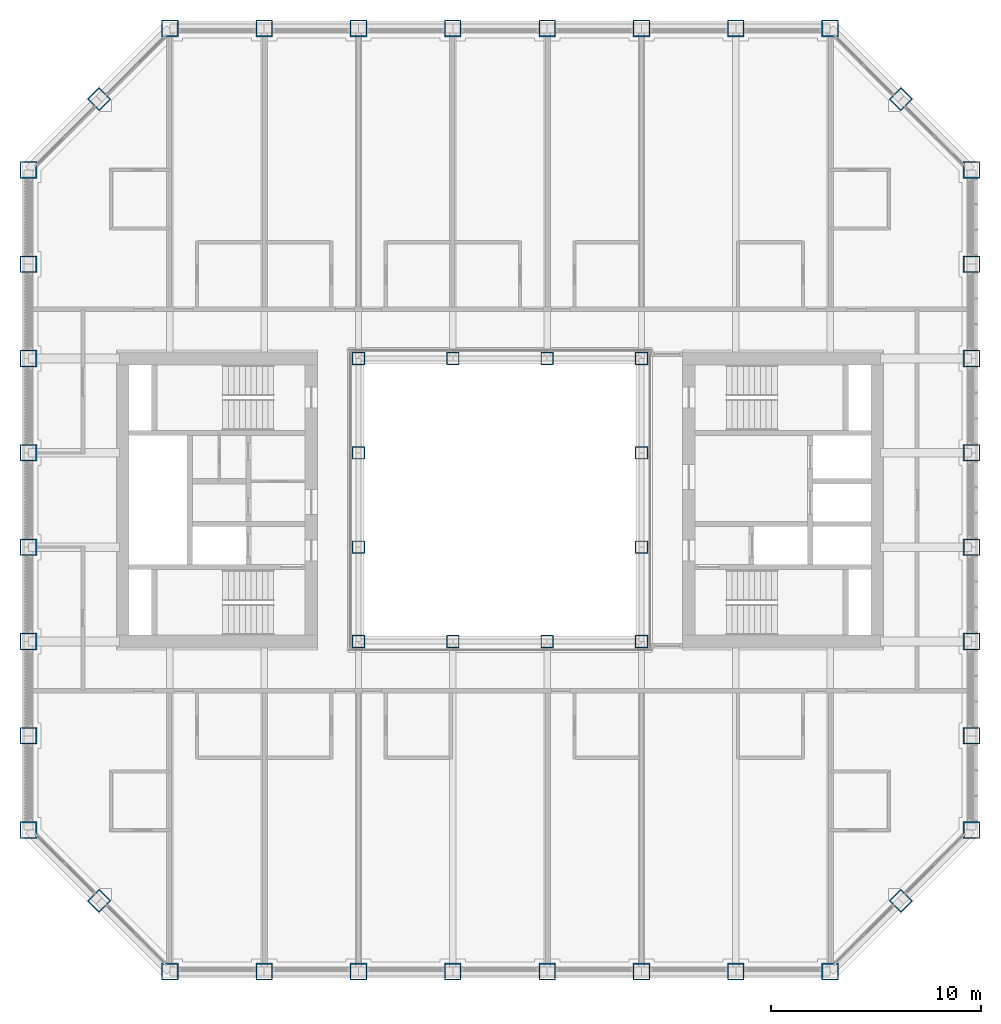
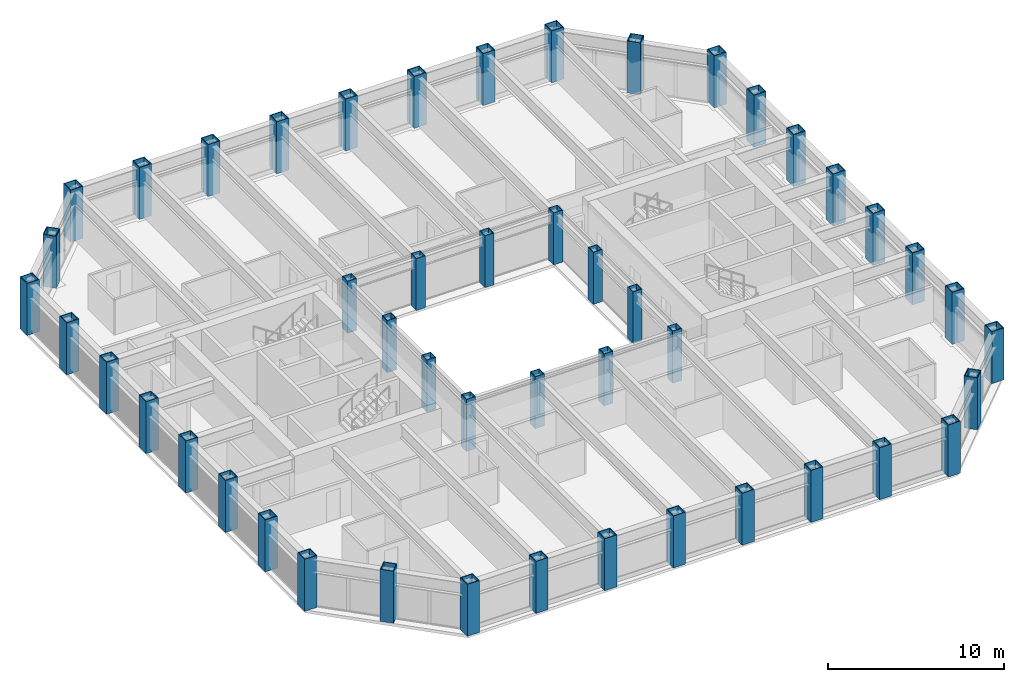
# One storey, part 1 of 17: 48 columns.
"""IFC4 building model written with IfcOpenShell, lengths in metres."""

from ifc_helpers import new_model, si_unit, direction, frame, origin, origin_2d, place, context, subcontext, project, spatial, hollow_rectangle, extrude, material, material_profile, profile_set, type_object, element, save


model = new_model("IFC4")

# Units and contexts
model_context = context("Model", 3, precision=1e-05, world=origin(), true_north=direction((0.0, 1.0)))
body_context = subcontext(model_context, "Body", "Model", "MODEL_VIEW")
ifc_project = project(units=[si_unit("LENGTHUNIT", "METRE"), si_unit("AREAUNIT", "SQUARE_METRE"), si_unit("VOLUMEUNIT", "CUBIC_METRE"), si_unit("PLANEANGLEUNIT", "RADIAN"), si_unit("MASSUNIT", "GRAM", prefix="KILO")], contexts=[model_context])

# Site, building, storey
site_placement = place(None, origin())
site = spatial("IfcSite", under=ifc_project, at=site_placement, CompositionType="ELEMENT")
building_placement = place(site_placement, origin())
building = spatial("IfcBuilding", under=site, at=building_placement, Name="Msasa Ring Tower", CompositionType="ELEMENT")
storey_placement = place(building_placement, frame((0.0, 0.0, 147.199951171875)))
storey = spatial("IfcBuildingStorey", under=building, at=storey_placement, Name="L38", CompositionType="ELEMENT", Elevation=147.199951171875)

# Columns
ifc_material_1 = material(Name="Steel S355", Category="steel")
ifc_material_profile_1 = material_profile(ifc_material_1, hollow_rectangle(XDim=0.60009765625, YDim=0.60009765625, WallThickness=0.0400390625, at=origin_2d()), Name="BOX 600x600x40")
ifc_profile_set_1 = profile_set([ifc_material_profile_1], Name="Steel S355")
column_type_1 = type_object("IfcColumnType", Name="IC4 BOX 600x600x40", PredefinedType="COLUMN", material=ifc_profile_set_1)
for number, where, z_axis, x_axis, name in (
    (1, (-6.75, -6.75, 0.0), (0.0, 0.0, 1.0), (1.0, 0.0, 0.0), "Inner ring column IR-6.75-6.75 L38"),
    (2, (-6.75, -2.25, 0.0), (0.0, 0.0, 1.0), (1.0, 0.0, 0.0), "Inner ring column IR-6.75-2.25 L38"),
    (3, (-6.75, 2.25, 0.0), (0.0, 0.0, 1.0), (1.0, 0.0, 0.0), "Inner ring column IR-6.75+2.25 L38"),
    (4, (-6.75, 6.75, 0.0), (0.0, 0.0, 1.0), (1.0, 0.0, 0.0), "Inner ring column IR-6.75+6.75 L38"),
    (5, (-2.25, -6.75, 0.0), (0.0, 0.0, 1.0), (1.0, 0.0, 0.0), "Inner ring column IR-2.25-6.75 L38"),
    (6, (-2.25, 6.75, 0.0), (0.0, 0.0, 1.0), (1.0, 0.0, 0.0), "Inner ring column IR-2.25+6.75 L38"),
    (7, (2.25, -6.75, 0.0), (0.0, 0.0, 1.0), (1.0, 0.0, 0.0), "Inner ring column IR+2.25-6.75 L38"),
    (8, (2.25, 6.75, 0.0), (0.0, 0.0, 1.0), (1.0, 0.0, 0.0), "Inner ring column IR+2.25+6.75 L38"),
    (9, (6.75, -6.75, 0.0), (0.0, 0.0, 1.0), (1.0, 0.0, 0.0), "Inner ring column IR+6.75-6.75 L38"),
    (10, (6.75, -2.25, 0.0), (0.0, 0.0, 1.0), (1.0, 0.0, 0.0), "Inner ring column IR+6.75-2.25 L38"),
    (11, (6.75, 2.25, 0.0), (0.0, 0.0, 1.0), (1.0, 0.0, 0.0), "Inner ring column IR+6.75+2.25 L38"),
    (12, (6.75, 6.75, 0.0), (0.0, 0.0, 1.0), (1.0, 0.0, 0.0), "Inner ring column IR+6.75+6.75 L38"),
):
    element("IfcColumn", number, at=place(storey_placement, frame(where, z_axis=z_axis, x_axis=x_axis)), inside=storey, type_object=column_type_1, Name=name, PredefinedType="COLUMN", context=body_context, shape_type="SweptSolid", body=[
        extrude(hollow_rectangle(XDim=0.60009765625, YDim=0.60009765625, WallThickness=0.0400390625, at=origin_2d()), origin(), (0.0, 0.0, 1.0), 3.60009765625),
    ])
ifc_material_2 = material(Name="Steel S355", Category="steel")
ifc_material_profile_2 = material_profile(ifc_material_2, hollow_rectangle(XDim=0.800048828125, YDim=0.800048828125, WallThickness=0.050048828125, at=origin_2d()), Name="BOX 800x800x50")
ifc_profile_set_2 = profile_set([ifc_material_profile_2], Name="Steel S355")
column_type_2 = type_object("IfcColumnType", Name="TC4 BOX 800x800x50", PredefinedType="COLUMN", material=ifc_profile_set_2)
for number, where, z_axis, x_axis, name in (
    (13, (-15.75, -22.5, 0.0), (0.0, 0.0, 1.0), (0.0, 1.0, 0.0), "Tube column S-15.75 L38"),
    (14, (-15.75, 22.5, 0.0), (0.0, 0.0, 1.0), (0.0, 1.0, 0.0), "Tube column N-15.75 L38"),
    (15, (22.5, -15.75, 0.0), (0.0, 0.0, 1.0), (1.0, 0.0, 0.0), "Tube column E-15.75 L38"),
    (16, (-22.5, -15.75, 0.0), (0.0, 0.0, 1.0), (1.0, 0.0, 0.0), "Tube column W-15.75 L38"),
    (17, (-11.25, -22.5, 0.0), (0.0, 0.0, 1.0), (0.0, 1.0, 0.0), "Tube column S-11.25 L38"),
    (18, (-11.25, 22.5, 0.0), (0.0, 0.0, 1.0), (0.0, 1.0, 0.0), "Tube column N-11.25 L38"),
    (19, (22.5, -11.25, 0.0), (0.0, 0.0, 1.0), (1.0, 0.0, 0.0), "Tube column E-11.25 L38"),
    (20, (-22.5, -11.25, 0.0), (0.0, 0.0, 1.0), (1.0, 0.0, 0.0), "Tube column W-11.25 L38"),
    (21, (-6.75, -22.5, 0.0), (0.0, 0.0, 1.0), (0.0, 1.0, 0.0), "Tube column S-6.75 L38"),
    (22, (-6.75, 22.5, 0.0), (0.0, 0.0, 1.0), (0.0, 1.0, 0.0), "Tube column N-6.75 L38"),
    (23, (22.5, -6.75, 0.0), (0.0, 0.0, 1.0), (1.0, 0.0, 0.0), "Tube column E-6.75 L38"),
    (24, (-22.5, -6.75, 0.0), (0.0, 0.0, 1.0), (1.0, 0.0, 0.0), "Tube column W-6.75 L38"),
    (25, (-2.25, -22.5, 0.0), (0.0, 0.0, 1.0), (0.0, 1.0, 0.0), "Tube column S-2.25 L38"),
    (26, (-2.25, 22.5, 0.0), (0.0, 0.0, 1.0), (0.0, 1.0, 0.0), "Tube column N-2.25 L38"),
    (27, (22.5, -2.25, 0.0), (0.0, 0.0, 1.0), (1.0, 0.0, 0.0), "Tube column E-2.25 L38"),
    (28, (-22.5, -2.25, 0.0), (0.0, 0.0, 1.0), (1.0, 0.0, 0.0), "Tube column W-2.25 L38"),
    (29, (2.25, -22.5, 0.0), (0.0, 0.0, 1.0), (0.0, 1.0, 0.0), "Tube column S+2.25 L38"),
    (30, (2.25, 22.5, 0.0), (0.0, 0.0, 1.0), (0.0, 1.0, 0.0), "Tube column N+2.25 L38"),
    (31, (22.5, 2.25, 0.0), (0.0, 0.0, 1.0), (1.0, 0.0, 0.0), "Tube column E+2.25 L38"),
    (32, (-22.5, 2.25, 0.0), (0.0, 0.0, 1.0), (1.0, 0.0, 0.0), "Tube column W+2.25 L38"),
    (33, (6.75, -22.5, 0.0), (0.0, 0.0, 1.0), (0.0, 1.0, 0.0), "Tube column S+6.75 L38"),
    (34, (6.75, 22.5, 0.0), (0.0, 0.0, 1.0), (0.0, 1.0, 0.0), "Tube column N+6.75 L38"),
    (35, (22.5, 6.75, 0.0), (0.0, 0.0, 1.0), (1.0, 0.0, 0.0), "Tube column E+6.75 L38"),
    (36, (-22.5, 6.75, 0.0), (0.0, 0.0, 1.0), (1.0, 0.0, 0.0), "Tube column W+6.75 L38"),
    (37, (11.25, -22.5, 0.0), (0.0, 0.0, 1.0), (0.0, 1.0, 0.0), "Tube column S+11.25 L38"),
    (38, (11.25, 22.5, 0.0), (0.0, 0.0, 1.0), (0.0, 1.0, 0.0), "Tube column N+11.25 L38"),
    (39, (22.5, 11.25, 0.0), (0.0, 0.0, 1.0), (1.0, 0.0, 0.0), "Tube column E+11.25 L38"),
    (40, (-22.5, 11.25, 0.0), (0.0, 0.0, 1.0), (1.0, 0.0, 0.0), "Tube column W+11.25 L38"),
    (41, (15.75, -22.5, 0.0), (0.0, 0.0, 1.0), (0.0, 1.0, 0.0), "Tube column S+15.75 L38"),
    (42, (15.75, 22.5, 0.0), (0.0, 0.0, 1.0), (0.0, 1.0, 0.0), "Tube column N+15.75 L38"),
    (43, (22.5, 15.75, 0.0), (0.0, 0.0, 1.0), (1.0, 0.0, 0.0), "Tube column E+15.75 L38"),
    (44, (-22.5, 15.75, 0.0), (0.0, 0.0, 1.0), (1.0, 0.0, 0.0), "Tube column W+15.75 L38"),
    (45, (19.125, -19.125, 0.0), (0.0, 0.0, 1.0), (0.707106781187, -0.707106781187, 0.0), "Tube column SE L38"),
    (46, (19.125, 19.125, 0.0), (0.0, 0.0, 1.0), (0.707106781187, 0.707106781187, 0.0), "Tube column NE L38"),
    (47, (-19.125, 19.125, 0.0), (0.0, 0.0, 1.0), (0.707106781187, -0.707106781187, 0.0), "Tube column NW L38"),
    (48, (-19.125, -19.125, 0.0), (0.0, 0.0, 1.0), (0.707106781187, 0.707106781187, 0.0), "Tube column SW L38"),
):
    element("IfcColumn", number, at=place(storey_placement, frame(where, z_axis=z_axis, x_axis=x_axis)), inside=storey, type_object=column_type_2, Name=name, PredefinedType="COLUMN", context=body_context, shape_type="SweptSolid", body=[
        extrude(hollow_rectangle(XDim=0.800048828125, YDim=0.800048828125, WallThickness=0.050048828125, at=origin_2d()), origin(), (0.0, 0.0, 1.0), 3.60009765625),
    ])

save(model, "model.ifc")
